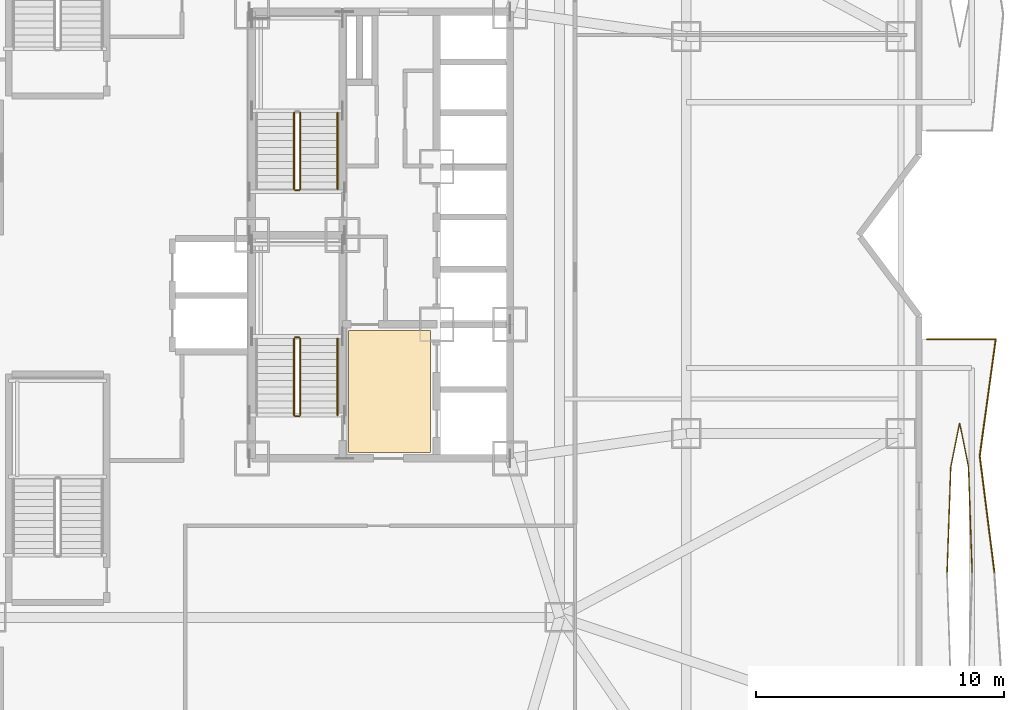
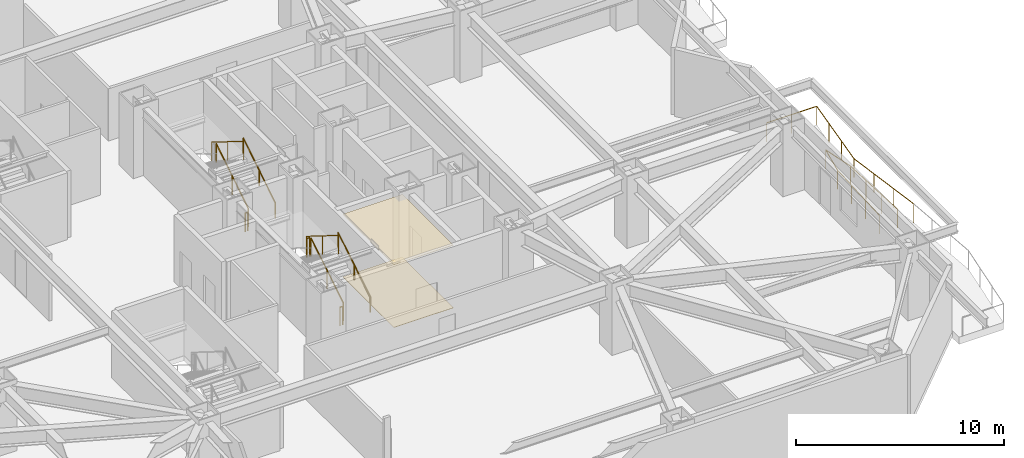
# One storey, part 21 of 24: 11 railings, 2 coverings.
"""IFC4 building model written with IfcOpenShell, lengths in metres."""

from ifc_helpers import new_model, si_unit, direction, frame, origin, origin_2d, place, context, subcontext, project, spatial, polyline, circle, outline, extrude, material, layer, layer_set, type_object, element, save


model = new_model("IFC4")

# Units and contexts
model_context = context("Model", 3, precision=1e-05, world=origin(), true_north=direction((0.0, 1.0)))
body_context = subcontext(model_context, "Body", "Model", "MODEL_VIEW")
ifc_project = project(units=[si_unit("LENGTHUNIT", "METRE"), si_unit("AREAUNIT", "SQUARE_METRE"), si_unit("VOLUMEUNIT", "CUBIC_METRE"), si_unit("PLANEANGLEUNIT", "RADIAN"), si_unit("MASSUNIT", "GRAM", prefix="KILO")], contexts=[model_context])

# Site, building, storey
site_placement = place(None, origin())
site = spatial("IfcSite", under=ifc_project, at=site_placement, CompositionType="ELEMENT")
building_placement = place(site_placement, origin())
building = spatial("IfcBuilding", under=site, at=building_placement, Name="Khamvora Tower", CompositionType="ELEMENT")
storey_placement = place(building_placement, frame((0.0, 0.0, 20.39990234375)))
storey = spatial("IfcBuildingStorey", under=building, at=storey_placement, Name="L04", CompositionType="ELEMENT", Elevation=20.39990234375)

# Coverings
ifc_material_1 = material(Name="Perforated Mineral-Fibre Acoustic Ceiling Tile", Category="gypsum")
ifc_layer_1 = layer(ifc_material_1, 0.02490234375)
ifc_layer_set_1 = layer_set([ifc_layer_1], Name="Perforated Mineral-Fibre Acoustic Ceiling Tile")
covering_type_1 = type_object("IfcCoveringType", Name="COV-CEIL-600", PredefinedType="CEILING", material=ifc_layer_set_1)
covering_1_placement = place(storey_placement, frame((0.0, 0.0, 3.670166015625)))
element("IfcCovering", 1, at=covering_1_placement, inside=storey, type_object=covering_type_1, Name="L04 core lobby suspended acoustic ceiling", PredefinedType="CEILING", context=body_context, shape_type="SweptSolid", body=[
    extrude(outline(polyline([(32.89990234375, 19.25), (36.199951171875, 19.25), (36.199951171875, 24.14990234375), (32.89990234375, 24.14990234375), (32.89990234375, 19.25)])), origin(), (0.0, 0.0, 1.0), 0.02490234375),
])
ifc_material_2 = material(Name="Honed Terrazzo Stone Tile", Category="masonry")
ifc_layer_2 = layer(ifc_material_2, 0.02001953125)
ifc_layer_set_2 = layer_set([ifc_layer_2], Name="Honed Terrazzo Stone Tile")
covering_type_2 = type_object("IfcCoveringType", Name="COV-FLOR-20", PredefinedType="FLOORING", material=ifc_layer_set_2)
covering_2_placement = place(storey_placement, origin())
element("IfcCovering", 2, at=covering_2_placement, inside=storey, type_object=covering_type_2, Name="L04 lift lobby terrazzo flooring", PredefinedType="FLOORING", context=body_context, shape_type="SweptSolid", body=[
    extrude(outline(polyline([(32.89990234375, 19.25), (36.199951171875, 19.25), (36.199951171875, 24.14990234375), (32.89990234375, 24.14990234375), (32.89990234375, 19.25)])), origin(), (0.0, 0.0, 1.0), 0.02001953125),
])

# Railings
ifc_material_3 = material(Name="Stainless Steel 316 and Laminated Glass", Category="steel")
railing_type_1 = type_object("IfcRailingType", Name="RAL-GAL-1120", PredefinedType="GUARDRAIL", material=ifc_material_3)
railing_1_placement = place(storey_placement, frame((58.9189453125, 14.39990234375, 0.0)))
element("IfcRailing", 3, at=railing_1_placement, inside=storey, type_object=railing_type_1, Name="L04 lens gallery north perimeter guardrail EL1", PredefinedType="GUARDRAIL", context=body_context, shape_type="SweptSolid", body=[
    extrude(circle(Radius=0.02392578125, at=origin_2d()), frame((0.0, 0.0, 1.09619140625), z_axis=(-0.125176331033, 0.992134510109, 0.0), x_axis=(-0.992134510109, -0.125176331033, 0.0)), (0.0, 0.0, 1.0), 4.737548828125),
    extrude(circle(Radius=0.02392578125, at=origin_2d()), frame((-0.593017578125, 4.7001953125, 1.09619140625), z_axis=(0.135763109555, 0.990741327534, 0.0), x_axis=(-0.990741327534, 0.135763109555, 0.0)), (0.0, 0.0, 1.0), 4.743896484375),
    extrude(circle(Radius=0.02392578125, at=origin_2d()), frame((0.051025390625, 9.400146484375, 1.09619140625), z_axis=(-1.0, 0.0, 0.0), x_axis=(0.0, -1.0, 0.0)), (0.0, 0.0, 1.0), 2.77001953125),
    extrude(circle(Radius=0.02099609375, at=origin_2d()), origin(), (0.0, 0.0, 1.0), 1.072021484375),
    extrude(circle(Radius=0.02099609375, at=origin_2d()), frame((-0.19775390625, 1.566650390625, 0.0)), (0.0, 0.0, 1.0), 1.072021484375),
    extrude(circle(Radius=0.02099609375, at=origin_2d()), frame((-0.395263671875, 3.133544921875, 0.0)), (0.0, 0.0, 1.0), 1.072021484375),
    extrude(circle(Radius=0.02099609375, at=origin_2d()), frame((-0.593017578125, 4.7001953125, 0.0)), (0.0, 0.0, 1.0), 1.072021484375),
    extrude(circle(Radius=0.02099609375, at=origin_2d()), frame((-0.37841796875, 6.266845703125, 0.0)), (0.0, 0.0, 1.0), 1.072021484375),
    extrude(circle(Radius=0.02099609375, at=origin_2d()), frame((-0.16357421875, 7.83349609375, 0.0)), (0.0, 0.0, 1.0), 1.072021484375),
    extrude(circle(Radius=0.02099609375, at=origin_2d()), frame((0.051025390625, 9.400146484375, 0.0)), (0.0, 0.0, 1.0), 1.072021484375),
    extrude(circle(Radius=0.02099609375, at=origin_2d()), frame((-1.333984375, 9.400146484375, 0.0)), (0.0, 0.0, 1.0), 1.072021484375),
    extrude(circle(Radius=0.02099609375, at=origin_2d()), frame((-2.718994140625, 9.400146484375, 0.0)), (0.0, 0.0, 1.0), 1.072021484375),
])
railing_2_placement = place(storey_placement, frame((58.01904296875, 14.39990234375, 0.0)))
element("IfcRailing", 4, at=railing_2_placement, inside=storey, type_object=railing_type_1, Name="L04 lens gallery void guardrail EL1A", PredefinedType="GUARDRAIL", context=body_context, shape_type="SweptSolid", body=[
    extrude(circle(Radius=0.02392578125, at=origin_2d()), frame((0.0, 0.0, 1.09619140625), z_axis=(-0.034756605959, 0.999395806646, 0.0), x_axis=(-0.999395806646, -0.034756605959, 0.0)), (0.0, 0.0, 1.0), 4.2568359375),
    extrude(circle(Radius=0.02392578125, at=origin_2d()), frame((-0.14794921875, 4.254150390625, 1.09619140625), z_axis=(-0.198152924969, 0.98017111686, 0.0), x_axis=(-0.98017111686, -0.198152924969, 0.0)), (0.0, 0.0, 1.0), 1.797607421875),
    extrude(circle(Radius=0.02392578125, at=origin_2d()), frame((-0.504150390625, 6.01611328125, 1.09619140625), z_axis=(-0.198022438185, -0.980197487232, 0.0), x_axis=(0.980197487232, -0.198022438185, 0.0)), (0.0, 0.0, 1.0), 1.797607421875),
    extrude(circle(Radius=0.02392578125, at=origin_2d()), frame((-0.860107421875, 4.254150390625, 1.09619140625), z_axis=(-0.034756605959, -0.999395806646, 0.0), x_axis=(0.999395806646, -0.034756605959, 0.0)), (0.0, 0.0, 1.0), 4.2568359375),
    extrude(circle(Radius=0.02099609375, at=origin_2d()), origin(), (0.0, 0.0, 1.0), 1.072021484375),
    extrude(circle(Radius=0.02099609375, at=origin_2d()), frame((-0.04931640625, 1.41796875, 0.0)), (0.0, 0.0, 1.0), 1.072021484375),
    extrude(circle(Radius=0.02099609375, at=origin_2d()), frame((-0.0986328125, 2.836181640625, 0.0)), (0.0, 0.0, 1.0), 1.072021484375),
    extrude(circle(Radius=0.02099609375, at=origin_2d()), frame((-0.14794921875, 4.254150390625, 0.0)), (0.0, 0.0, 1.0), 1.072021484375),
    extrude(circle(Radius=0.02099609375, at=origin_2d()), frame((-0.504150390625, 6.01611328125, 0.0)), (0.0, 0.0, 1.0), 1.072021484375),
    extrude(circle(Radius=0.02099609375, at=origin_2d()), frame((-0.860107421875, 4.254150390625, 0.0)), (0.0, 0.0, 1.0), 1.072021484375),
    extrude(circle(Radius=0.02099609375, at=origin_2d()), frame((-0.909423828125, 2.836181640625, 0.0)), (0.0, 0.0, 1.0), 1.072021484375),
    extrude(circle(Radius=0.02099609375, at=origin_2d()), frame((-0.958740234375, 1.41796875, 0.0)), (0.0, 0.0, 1.0), 1.072021484375),
    extrude(circle(Radius=0.02099609375, at=origin_2d()), frame((-1.008056640625, 0.0, 0.0)), (0.0, 0.0, 1.0), 1.072021484375),
])
ifc_material_4 = material(Name="Brushed Stainless Steel 316", Category="steel")
railing_type_2 = type_object("IfcRailingType", Name="RAL-HDR-920", PredefinedType="HANDRAIL", material=ifc_material_4)
railing_3_placement = place(storey_placement, frame((32.449951171875, 20.75, 0.175048828125)))
element("IfcRailing", 5, at=railing_3_placement, inside=storey, type_object=railing_type_2, Name="L04 ST-01 stair handrail 1", PredefinedType="HANDRAIL", context=body_context, shape_type="SweptSolid", body=[
    extrude(circle(Radius=0.02392578125, at=origin_2d()), frame((0.0, 0.0, 0.8759765625), z_axis=(0.0, 0.847998304005, 0.529998940003), x_axis=(-1.0, 0.0, 0.0)), (0.0, 0.0, 1.0), 3.632080078125),
    extrude(circle(Radius=0.02099609375, at=origin_2d()), origin(), (0.0, 0.0, 1.0), 0.851806640625),
    extrude(circle(Radius=0.02099609375, at=origin_2d()), frame((0.0, 1.5400390625, 0.96240234375)), (0.0, 0.0, 1.0), 0.851806640625),
    extrude(circle(Radius=0.02099609375, at=origin_2d()), frame((0.0, 3.080078125, 1.925048828125)), (0.0, 0.0, 1.0), 0.851806640625),
])
railing_4_placement = place(storey_placement, frame((32.449951171875, 29.85009765625, 0.175048828125)))
element("IfcRailing", 6, at=railing_4_placement, inside=storey, type_object=railing_type_2, Name="L04 ST-02 stair handrail 1", PredefinedType="HANDRAIL", context=body_context, shape_type="SweptSolid", body=[
    extrude(circle(Radius=0.02392578125, at=origin_2d()), frame((0.0, 0.0, 0.8759765625), z_axis=(0.0, 0.847979421464, 0.530029150871), x_axis=(-1.0, 0.0, 0.0)), (0.0, 0.0, 1.0), 3.632080078125),
    extrude(circle(Radius=0.02099609375, at=origin_2d()), origin(), (0.0, 0.0, 1.0), 0.851806640625),
    extrude(circle(Radius=0.02099609375, at=origin_2d()), frame((0.0, 1.5400390625, 0.96240234375)), (0.0, 0.0, 1.0), 0.851806640625),
    extrude(circle(Radius=0.02099609375, at=origin_2d()), frame((0.0, 3.079833984375, 1.925048828125)), (0.0, 0.0, 1.0), 0.851806640625),
])
ifc_material_5 = material(Name="Stainless Steel 316", Category="steel")
railing_type_3 = type_object("IfcRailingType", Name="RAL-STG-1100", PredefinedType="GUARDRAIL", material=ifc_material_5)
railing_5_placement = place(storey_placement, frame((30.949951171875, 20.75, 0.175048828125)))
element("IfcRailing", 7, at=railing_5_placement, inside=storey, type_object=railing_type_3, Name="L04 ST-01 stair guard 1", PredefinedType="GUARDRAIL", context=body_context, shape_type="SweptSolid", body=[
    extrude(circle(Radius=0.02392578125, at=origin_2d()), frame((0.0, 0.0, 1.076171875), z_axis=(0.0, 0.847998304005, 0.529998940003), x_axis=(-1.0, 0.0, 0.0)), (0.0, 0.0, 1.0), 3.632080078125),
    extrude(circle(Radius=0.02099609375, at=origin_2d()), origin(), (0.0, 0.0, 1.0), 1.052001953125),
    extrude(circle(Radius=0.02099609375, at=origin_2d()), frame((0.0, 1.5400390625, 0.96240234375)), (0.0, 0.0, 1.0), 1.052001953125),
    extrude(circle(Radius=0.02099609375, at=origin_2d()), frame((0.0, 3.080078125, 1.925048828125)), (0.0, 0.0, 1.0), 1.052001953125),
])
railing_6_placement = place(storey_placement, frame((30.89990234375, 23.8798828125, 2.10009765625)))
element("IfcRailing", 8, at=railing_6_placement, inside=storey, type_object=railing_type_3, Name="L04 ST-01 stair guard 2", PredefinedType="GUARDRAIL", context=body_context, shape_type="SweptSolid", body=[
    extrude(circle(Radius=0.02392578125, at=origin_2d()), frame((0.0, 0.0, 1.076171875), z_axis=(-1.0, 0.0, 0.0), x_axis=(0.0, -1.0, 0.0)), (0.0, 0.0, 1.0), 0.14990234375),
    extrude(circle(Radius=0.02099609375, at=origin_2d()), origin(), (0.0, 0.0, 1.0), 1.052001953125),
    extrude(circle(Radius=0.02099609375, at=origin_2d()), frame((-0.14990234375, 0.0, 0.0)), (0.0, 0.0, 1.0), 1.052001953125),
])
railing_7_placement = place(storey_placement, frame((30.699951171875, 23.830078125, 2.275146484375)))
element("IfcRailing", 9, at=railing_7_placement, inside=storey, type_object=railing_type_3, Name="L04 ST-01 stair guard 3", PredefinedType="GUARDRAIL", context=body_context, shape_type="SweptSolid", body=[
    extrude(circle(Radius=0.02392578125, at=origin_2d()), frame((0.0, 0.0, 1.076171875), z_axis=(0.0, -0.847998304005, 0.529998940003), x_axis=(1.0, 0.0, 0.0)), (0.0, 0.0, 1.0), 3.632080078125),
    extrude(circle(Radius=0.02099609375, at=origin_2d()), origin(), (0.0, 0.0, 1.0), 1.052001953125),
    extrude(circle(Radius=0.02099609375, at=origin_2d()), frame((0.0, -1.5400390625, 0.96240234375)), (0.0, 0.0, 1.0), 1.052001953125),
    extrude(circle(Radius=0.02099609375, at=origin_2d()), frame((0.0, -3.080078125, 1.925048828125)), (0.0, 0.0, 1.0), 1.052001953125),
])
railing_8_placement = place(storey_placement, frame((30.89990234375, 20.699951171875, 0.0)))
element("IfcRailing", 10, at=railing_8_placement, inside=storey, type_object=railing_type_3, Name="L04 ST-01 stair guard 4", PredefinedType="GUARDRAIL", context=body_context, shape_type="SweptSolid", body=[
    extrude(circle(Radius=0.02392578125, at=origin_2d()), frame((0.0, 0.0, 1.076171875), z_axis=(-1.0, 0.0, 0.0), x_axis=(0.0, -1.0, 0.0)), (0.0, 0.0, 1.0), 0.14990234375),
    extrude(circle(Radius=0.02099609375, at=origin_2d()), origin(), (0.0, 0.0, 1.0), 1.052001953125),
    extrude(circle(Radius=0.02099609375, at=origin_2d()), frame((-0.14990234375, 0.0, 0.0)), (0.0, 0.0, 1.0), 1.052001953125),
])
railing_9_placement = place(storey_placement, frame((30.949951171875, 29.85009765625, 0.175048828125)))
element("IfcRailing", 11, at=railing_9_placement, inside=storey, type_object=railing_type_3, Name="L04 ST-02 stair guard 1", PredefinedType="GUARDRAIL", context=body_context, shape_type="SweptSolid", body=[
    extrude(circle(Radius=0.02392578125, at=origin_2d()), frame((0.0, 0.0, 1.076171875), z_axis=(0.0, 0.847979421464, 0.530029150871), x_axis=(-1.0, 0.0, 0.0)), (0.0, 0.0, 1.0), 3.632080078125),
    extrude(circle(Radius=0.02099609375, at=origin_2d()), origin(), (0.0, 0.0, 1.0), 1.052001953125),
    extrude(circle(Radius=0.02099609375, at=origin_2d()), frame((0.0, 1.5400390625, 0.96240234375)), (0.0, 0.0, 1.0), 1.052001953125),
    extrude(circle(Radius=0.02099609375, at=origin_2d()), frame((0.0, 3.079833984375, 1.925048828125)), (0.0, 0.0, 1.0), 1.052001953125),
])
railing_10_placement = place(storey_placement, frame((30.699951171875, 32.929931640625, 2.275146484375)))
element("IfcRailing", 12, at=railing_10_placement, inside=storey, type_object=railing_type_3, Name="L04 ST-02 stair guard 3", PredefinedType="GUARDRAIL", context=body_context, shape_type="SweptSolid", body=[
    extrude(circle(Radius=0.02392578125, at=origin_2d()), frame((0.0, 0.0, 1.076171875), z_axis=(0.0, -0.847979421464, 0.530029150871), x_axis=(1.0, 0.0, 0.0)), (0.0, 0.0, 1.0), 3.632080078125),
    extrude(circle(Radius=0.02099609375, at=origin_2d()), origin(), (0.0, 0.0, 1.0), 1.052001953125),
    extrude(circle(Radius=0.02099609375, at=origin_2d()), frame((0.0, -1.5400390625, 0.96240234375)), (0.0, 0.0, 1.0), 1.052001953125),
    extrude(circle(Radius=0.02099609375, at=origin_2d()), frame((0.0, -3.079833984375, 1.925048828125)), (0.0, 0.0, 1.0), 1.052001953125),
])
railing_11_placement = place(storey_placement, frame((30.89990234375, 29.800048828125, 0.0)))
element("IfcRailing", 13, at=railing_11_placement, inside=storey, type_object=railing_type_3, Name="L04 ST-02 stair guard 4", PredefinedType="GUARDRAIL", context=body_context, shape_type="SweptSolid", body=[
    extrude(circle(Radius=0.02392578125, at=origin_2d()), frame((0.0, 0.0, 1.076171875), z_axis=(-1.0, 0.0, 0.0), x_axis=(0.0, -1.0, 0.0)), (0.0, 0.0, 1.0), 0.14990234375),
    extrude(circle(Radius=0.02099609375, at=origin_2d()), origin(), (0.0, 0.0, 1.0), 1.052001953125),
    extrude(circle(Radius=0.02099609375, at=origin_2d()), frame((-0.14990234375, 0.0, 0.0)), (0.0, 0.0, 1.0), 1.052001953125),
])

save(model, "model.ifc")
